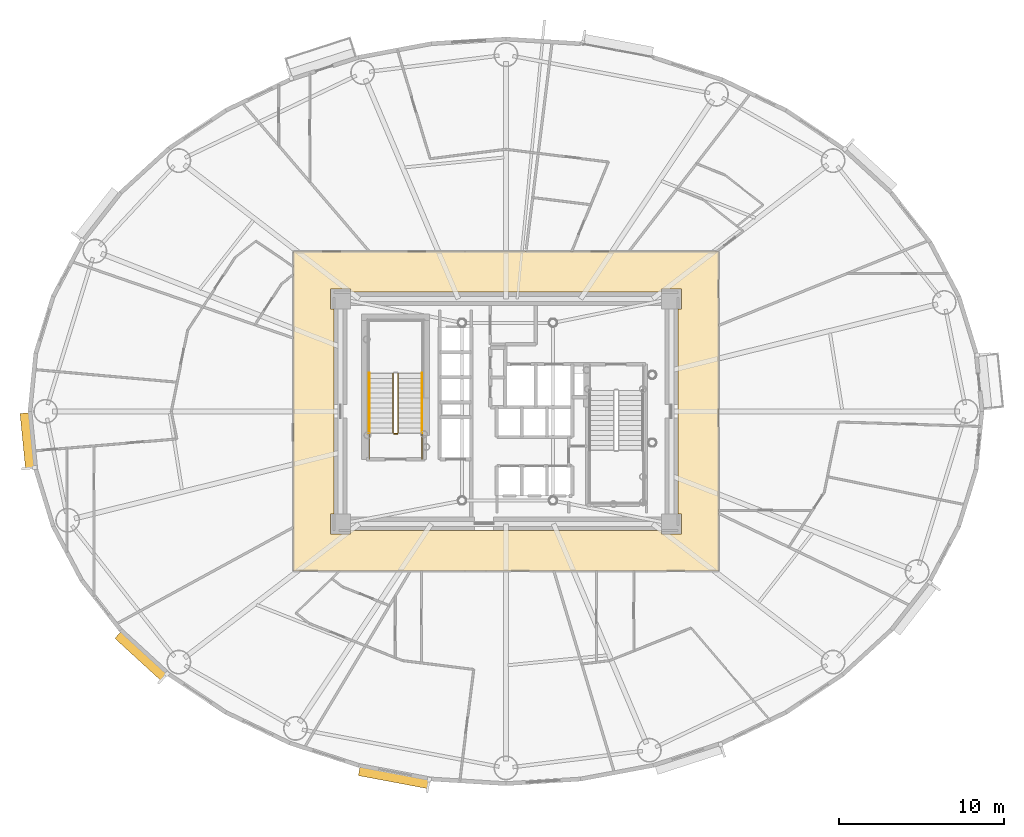
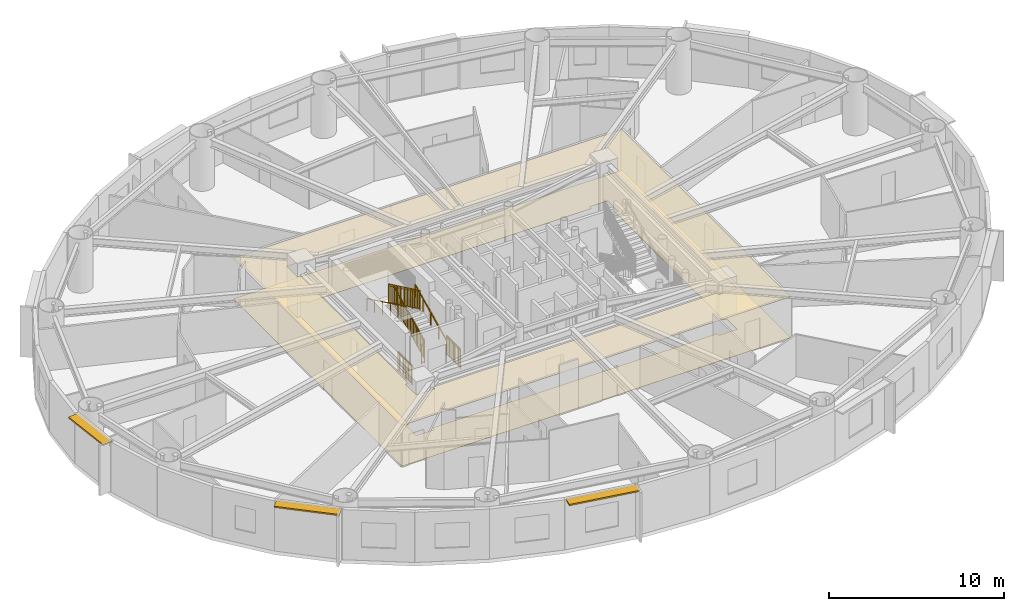
# One storey, part 13 of 18: 7 railings, 3 shading devices, 2 coverings.
"""IFC4 building model written with IfcOpenShell, lengths in metres."""

from ifc_helpers import new_model, si_unit, direction, frame, origin, origin_2d, place, context, subcontext, project, spatial, polyline, rectangle, outline, extrude, source, transform, mapped, material, layer, layer_set, type_object, element, save


model = new_model("IFC4")

# Units and contexts
model_context = context("Model", 3, precision=1e-05, world=origin(), true_north=direction((0.0, 1.0)))
body_context = subcontext(model_context, "Body", "Model", "MODEL_VIEW")
ifc_project = project(units=[si_unit("LENGTHUNIT", "METRE"), si_unit("AREAUNIT", "SQUARE_METRE"), si_unit("VOLUMEUNIT", "CUBIC_METRE"), si_unit("PLANEANGLEUNIT", "RADIAN"), si_unit("MASSUNIT", "GRAM", prefix="KILO")], contexts=[model_context])

# Site, building, storey
site_placement = place(None, origin())
site = spatial("IfcSite", under=ifc_project, at=site_placement, CompositionType="ELEMENT")
building_placement = place(site_placement, origin())
building = spatial("IfcBuilding", under=site, at=building_placement, Name="Linh Dai School and Residence Tower", CompositionType="ELEMENT")
storey_placement = place(building_placement, frame((0.0, 0.0, 104.699951171875)))
storey = spatial("IfcBuildingStorey", under=building, at=storey_placement, Name="L24", CompositionType="ELEMENT", Elevation=104.699951171875)

# Coverings
ifc_material_1 = material(Name="Mineral Fibre Acoustic Suspended Ceiling", Category="masonry")
ifc_layer_1 = layer(ifc_material_1, 0.02001953125)
ifc_layer_set_1 = layer_set([ifc_layer_1], Name="Mineral Fibre Acoustic Suspended Ceiling")
covering_type_1 = type_object("IfcCoveringType", Name="COV-CEIL-AC-20", PredefinedType="CEILING", material=ifc_layer_set_1)
covering_1_placement = place(storey_placement, frame((0.0, 0.0, 2.85009765625)))
element("IfcCovering", 1, at=covering_1_placement, inside=storey, type_object=covering_type_1, Name="L24 Residential Floor Corridor Suspended Ceiling", PredefinedType="CEILING", context=body_context, shape_type="SweptSolid", body=[
    extrude(outline(polyline([(48.85009765625, 36.64990234375), (48.85009765625, 17.35009765625), (23.14990234375, 17.35009765625), (23.14990234375, 36.64990234375), (48.85009765625, 36.64990234375)]), holes=[polyline([(26.60009765625, 34.199951171875), (26.60009765625, 34.39990234375), (25.39990234375, 34.39990234375), (25.39990234375, 33.199951171875), (25.60009765625, 33.199951171875), (25.60009765625, 20.800048828125), (25.39990234375, 20.800048828125), (25.39990234375, 19.60009765625), (26.60009765625, 19.60009765625), (26.60009765625, 19.800048828125), (45.39990234375, 19.800048828125), (45.39990234375, 19.60009765625), (46.60009765625, 19.60009765625), (46.60009765625, 20.800048828125), (46.39990234375, 20.800048828125), (46.39990234375, 33.199951171875), (46.60009765625, 33.199951171875), (46.60009765625, 34.39990234375), (45.39990234375, 34.39990234375), (45.39990234375, 34.199951171875), (26.60009765625, 34.199951171875)])]), origin(), (0.0, 0.0, 1.0), 0.02001953125),
])
ifc_material_2 = material(Name="Polished Terrazzo Floor Finish", Category="masonry")
ifc_layer_2 = layer(ifc_material_2, 0.02490234375)
ifc_layer_set_2 = layer_set([ifc_layer_2], Name="Polished Terrazzo Floor Finish")
covering_type_2 = type_object("IfcCoveringType", Name="COV-FLR-TRZ-25", PredefinedType="FLOORING", material=ifc_layer_set_2)
covering_2_placement = place(storey_placement, origin())
element("IfcCovering", 2, at=covering_2_placement, inside=storey, type_object=covering_type_2, Name="L24 Residential Floor Corridor Floor Finish", PredefinedType="FLOORING", context=body_context, shape_type="SweptSolid", body=[
    extrude(outline(polyline([(48.85009765625, 36.64990234375), (48.85009765625, 17.35009765625), (23.14990234375, 17.35009765625), (23.14990234375, 36.64990234375), (48.85009765625, 36.64990234375)]), holes=[polyline([(26.60009765625, 34.199951171875), (26.60009765625, 34.39990234375), (25.39990234375, 34.39990234375), (25.39990234375, 33.199951171875), (25.60009765625, 33.199951171875), (25.60009765625, 20.800048828125), (25.39990234375, 20.800048828125), (25.39990234375, 19.60009765625), (26.60009765625, 19.60009765625), (26.60009765625, 19.800048828125), (45.39990234375, 19.800048828125), (45.39990234375, 19.60009765625), (46.60009765625, 19.60009765625), (46.60009765625, 20.800048828125), (46.39990234375, 20.800048828125), (46.39990234375, 33.199951171875), (46.60009765625, 33.199951171875), (46.60009765625, 34.39990234375), (45.39990234375, 34.39990234375), (45.39990234375, 34.199951171875), (26.60009765625, 34.199951171875)])]), origin(), (0.0, 0.0, 1.0), 0.02001953125),
])

# Shading devices
ifc_material_3 = material(Name="Terracotta Ceramic Sunshade", Category="masonry")
ifc_layer_3 = layer(ifc_material_3, 0.10009765625)
ifc_layer_set_3 = layer_set([ifc_layer_3], Name="Terracotta Ceramic Sunshade")
shading_device_type = type_object("IfcShadingDeviceType", Name="SHD-TC-650", PredefinedType="USERDEFINED", material=ifc_layer_set_3)
shared_shape_1 = source(origin(), body_context, "Body", "SweptSolid", [
    extrude(rectangle(XDim=3.3916015625, YDim=0.64990234375, at=origin_2d()), origin(), (0.0, 0.0, 1.0), 0.10009765625),
])
shading_device_1_placement = place(storey_placement, frame((7.1181640625, 25.2138671875, 3.3798828125), z_axis=(0.0, 0.0, 1.0), x_axis=(-0.100007297192, 0.994986703684, 0.0)))
element("IfcShadingDevice", 3, at=shading_device_1_placement, inside=storey, type_object=shading_device_type, Name="L24 Terracotta Horizontal Sunshade Band 21", ObjectType="SUNSHADE", PredefinedType="USERDEFINED", context=body_context, shape_type="MappedRepresentation", body=[
    mapped(shared_shape_1, transform((0.0, 0.0, 0.0), x_axis=(1.0, 0.0, 0.0), y_axis=(0.0, 1.0, 0.0), z_axis=(0.0, 0.0, 1.0), scale=1.0)),
])
shared_shape_2 = source(origin(), body_context, "Body", "SweptSolid", [
    extrude(rectangle(XDim=3.81689453125, YDim=0.64990234375, at=origin_2d()), origin(), (0.0, 0.0, 1.0), 0.10009765625),
])
shading_device_2_placement = place(storey_placement, frame((13.983642578125, 12.22998046875, 3.3798828125), z_axis=(0.0, 0.0, 1.0), x_axis=(-0.737100266172, 0.675783395482, 0.0)))
element("IfcShadingDevice", 4, at=shading_device_2_placement, inside=storey, type_object=shading_device_type, Name="L24 Terracotta Horizontal Sunshade Band 25", ObjectType="SUNSHADE", PredefinedType="USERDEFINED", context=body_context, shape_type="MappedRepresentation", body=[
    mapped(shared_shape_2, transform((0.0, 0.0, 0.0), x_axis=(1.0, 0.0, 0.0), y_axis=(0.0, 1.0, 0.0), z_axis=(0.0, 0.0, 1.0), scale=1.0)),
])
shared_shape_3 = source(origin(), body_context, "Body", "SweptSolid", [
    extrude(rectangle(XDim=4.292236328125, YDim=0.64990234375, at=origin_2d()), origin(), (0.0, 0.0, 1.0), 0.10009765625),
])
shading_device_3_placement = place(storey_placement, frame((29.24462890625, 4.905517578125, 3.3798828125), z_axis=(0.0, 0.0, 1.0), x_axis=(-0.982784673718, 0.18475466193, 0.0)))
element("IfcShadingDevice", 5, at=shading_device_3_placement, inside=storey, type_object=shading_device_type, Name="L24 Terracotta Horizontal Sunshade Band 29", ObjectType="SUNSHADE", PredefinedType="USERDEFINED", context=body_context, shape_type="MappedRepresentation", body=[
    mapped(shared_shape_3, transform((0.0, 0.0, 0.0), x_axis=(1.0, 0.0, 0.0), y_axis=(0.0, 1.0, 0.0), z_axis=(0.0, 0.0, 1.0), scale=1.0)),
])

# Railings
ifc_material_4 = material(Name="Structural Steel S355JR", Category="steel")
railing_type_1 = type_object("IfcRailingType", Name="RL-ST-GUARD-1400", PredefinedType="GUARDRAIL", material=ifc_material_4)
shared_shape_4 = source(origin(), body_context, "Body", "SweptSolid", [
    extrude(rectangle(XDim=0.048095703125, YDim=0.048095703125, at=origin_2d()), frame((0.0, 0.0, 1.3759765625), z_axis=(-1.0, 0.0, 0.0), x_axis=(0.0, -1.0, 0.0)), (0.0, 0.0, 1.0), 0.199951171875),
    extrude(rectangle(XDim=0.048095703125, YDim=0.048095703125, at=origin_2d()), frame((0.0, 0.0, 0.10009765625), z_axis=(-1.0, 0.0, 0.0), x_axis=(0.0, -1.0, 0.0)), (0.0, 0.0, 1.0), 0.199951171875),
    extrude(rectangle(XDim=0.030029296875, YDim=0.030029296875, at=origin_2d()), frame((0.0, 0.0, 1.239990234375), z_axis=(-1.0, 0.0, 0.0), x_axis=(0.0, -1.0, 0.0)), (0.0, 0.0, 1.0), 0.199951171875),
    extrude(rectangle(XDim=0.0419921875, YDim=0.0419921875, at=origin_2d()), origin(), (0.0, 0.0, 1.0), 1.3759765625),
    extrude(rectangle(XDim=0.0419921875, YDim=0.0419921875, at=origin_2d()), frame((-0.199951171875, 0.0, 0.0)), (0.0, 0.0, 1.0), 1.3759765625),
])
railing_1_placement = place(storey_placement, frame((29.429931640625, 25.64990234375, 0.0)))
element("IfcRailing", 6, at=railing_1_placement, inside=storey, type_object=railing_type_1, Name="L24 ST1 stair guard 7", PredefinedType="GUARDRAIL", context=body_context, shape_type="MappedRepresentation", body=[
    mapped(shared_shape_4, transform((0.0, 0.0, 0.0), x_axis=(1.0, 0.0, 0.0), y_axis=(0.0, 1.0, 0.0), z_axis=(0.0, 0.0, 1.0), scale=1.0)),
])
shared_shape_5 = source(origin(), body_context, "Body", "SweptSolid", [
    extrude(rectangle(XDim=0.048095703125, YDim=0.048095703125, at=origin_2d()), frame((0.0, 0.0, 1.3759765625), z_axis=(0.0, 1.0, 0.0), x_axis=(-1.0, 0.0, 0.0)), (0.0, 0.0, 1.0), 1.599853515625),
    extrude(rectangle(XDim=0.048095703125, YDim=0.048095703125, at=origin_2d()), frame((0.0, 0.0, 0.10009765625), z_axis=(0.0, 1.0, 0.0), x_axis=(-1.0, 0.0, 0.0)), (0.0, 0.0, 1.0), 1.599853515625),
    extrude(rectangle(XDim=0.030029296875, YDim=0.030029296875, at=origin_2d()), frame((0.0, 0.0, 1.239990234375), z_axis=(0.0, 1.0, 0.0), x_axis=(-1.0, 0.0, 0.0)), (0.0, 0.0, 1.0), 1.599853515625),
    extrude(rectangle(XDim=0.02001953125, YDim=0.02001953125, at=origin_2d()), frame((0.0, 0.093994140625, 0.10009765625)), (0.0, 0.0, 1.0), 1.251708984375),
    extrude(rectangle(XDim=0.02001953125, YDim=0.02001953125, at=origin_2d()), frame((0.0, 0.188232421875, 0.10009765625)), (0.0, 0.0, 1.0), 1.251708984375),
    extrude(rectangle(XDim=0.02001953125, YDim=0.02001953125, at=origin_2d()), frame((0.0, 0.2822265625, 0.10009765625)), (0.0, 0.0, 1.0), 1.251708984375),
    extrude(rectangle(XDim=0.02001953125, YDim=0.02001953125, at=origin_2d()), frame((0.0, 0.37646484375, 0.10009765625)), (0.0, 0.0, 1.0), 1.251708984375),
    extrude(rectangle(XDim=0.02001953125, YDim=0.02001953125, at=origin_2d()), frame((0.0, 0.470458984375, 0.10009765625)), (0.0, 0.0, 1.0), 1.251708984375),
    extrude(rectangle(XDim=0.02001953125, YDim=0.02001953125, at=origin_2d()), frame((0.0, 0.564697265625, 0.10009765625)), (0.0, 0.0, 1.0), 1.251708984375),
    extrude(rectangle(XDim=0.02001953125, YDim=0.02001953125, at=origin_2d()), frame((0.0, 0.65869140625, 0.10009765625)), (0.0, 0.0, 1.0), 1.251708984375),
    extrude(rectangle(XDim=0.02001953125, YDim=0.02001953125, at=origin_2d()), frame((0.0, 0.7529296875, 0.10009765625)), (0.0, 0.0, 1.0), 1.251708984375),
    extrude(rectangle(XDim=0.02001953125, YDim=0.02001953125, at=origin_2d()), frame((0.0, 0.846923828125, 0.10009765625)), (0.0, 0.0, 1.0), 1.251708984375),
    extrude(rectangle(XDim=0.02001953125, YDim=0.02001953125, at=origin_2d()), frame((0.0, 0.941162109375, 0.10009765625)), (0.0, 0.0, 1.0), 1.251708984375),
    extrude(rectangle(XDim=0.02001953125, YDim=0.02001953125, at=origin_2d()), frame((0.0, 1.03515625, 0.10009765625)), (0.0, 0.0, 1.0), 1.251708984375),
    extrude(rectangle(XDim=0.02001953125, YDim=0.02001953125, at=origin_2d()), frame((0.0, 1.12939453125, 0.10009765625)), (0.0, 0.0, 1.0), 1.251708984375),
    extrude(rectangle(XDim=0.02001953125, YDim=0.02001953125, at=origin_2d()), frame((0.0, 1.223388671875, 0.10009765625)), (0.0, 0.0, 1.0), 1.251708984375),
    extrude(rectangle(XDim=0.02001953125, YDim=0.02001953125, at=origin_2d()), frame((0.0, 1.317626953125, 0.10009765625)), (0.0, 0.0, 1.0), 1.251708984375),
    extrude(rectangle(XDim=0.02001953125, YDim=0.02001953125, at=origin_2d()), frame((0.0, 1.41162109375, 0.10009765625)), (0.0, 0.0, 1.0), 1.251708984375),
    extrude(rectangle(XDim=0.02001953125, YDim=0.02001953125, at=origin_2d()), frame((0.0, 1.505859375, 0.10009765625)), (0.0, 0.0, 1.0), 1.251708984375),
    extrude(rectangle(XDim=0.0419921875, YDim=0.0419921875, at=origin_2d()), origin(), (0.0, 0.0, 1.0), 1.3759765625),
    extrude(rectangle(XDim=0.0419921875, YDim=0.0419921875, at=origin_2d()), frame((0.0, 0.7998046875, 0.0)), (0.0, 0.0, 1.0), 1.3759765625),
    extrude(rectangle(XDim=0.0419921875, YDim=0.0419921875, at=origin_2d()), frame((0.0, 1.599853515625, 0.0)), (0.0, 0.0, 1.0), 1.3759765625),
])
for number, where, name in (
    (7, (30.929931640625, 24.10009765625, 0.0), "L24 ST1 stair guard 8"),
    (8, (27.72998046875, 24.10009765625, 0.0), "L24 ST1 stair guard 9"),
):
    element("IfcRailing", number, at=place(storey_placement, frame(where)), inside=storey, type_object=railing_type_1, Name=name, PredefinedType="GUARDRAIL", context=body_context, shape_type="MappedRepresentation", body=[
        mapped(shared_shape_5, transform((0.0, 0.0, 0.0), x_axis=(1.0, 0.0, 0.0), y_axis=(0.0, 1.0, 0.0), z_axis=(0.0, 0.0, 1.0), scale=1.0)),
    ])
shared_shape_6 = source(origin(), body_context, "Body", "SweptSolid", [
    extrude(rectangle(XDim=0.048095703125, YDim=0.048095703125, at=origin_2d()), frame((0.0, 0.0, 1.3759765625), z_axis=(0.0, 0.901262522062, 0.433273431364), x_axis=(-1.0, 0.0, 0.0)), (0.0, 0.0, 1.0), 3.994384765625),
    extrude(rectangle(XDim=0.048095703125, YDim=0.048095703125, at=origin_2d()), frame((0.0, 0.0, 0.10009765625), z_axis=(0.0, 0.901262522062, 0.433273431364), x_axis=(-1.0, 0.0, 0.0)), (0.0, 0.0, 1.0), 3.994384765625),
    extrude(rectangle(XDim=0.030029296875, YDim=0.030029296875, at=origin_2d()), frame((0.0, 0.0, 1.239990234375), z_axis=(0.0, 0.901262522062, 0.433273431364), x_axis=(-1.0, 0.0, 0.0)), (0.0, 0.0, 1.0), 3.994384765625),
    extrude(rectangle(XDim=0.02001953125, YDim=0.02001953125, at=origin_2d()), frame((0.0, 0.087890625, 0.142333984375)), (0.0, 0.0, 1.0), 1.251708984375),
    extrude(rectangle(XDim=0.02001953125, YDim=0.02001953125, at=origin_2d()), frame((0.0, 0.175537109375, 0.1845703125)), (0.0, 0.0, 1.0), 1.251708984375),
    extrude(rectangle(XDim=0.02001953125, YDim=0.02001953125, at=origin_2d()), frame((0.0, 0.263427734375, 0.226806640625)), (0.0, 0.0, 1.0), 1.251708984375),
    extrude(rectangle(XDim=0.02001953125, YDim=0.02001953125, at=origin_2d()), frame((0.0, 0.351318359375, 0.26904296875)), (0.0, 0.0, 1.0), 1.251708984375),
    extrude(rectangle(XDim=0.02001953125, YDim=0.02001953125, at=origin_2d()), frame((0.0, 0.43896484375, 0.311279296875)), (0.0, 0.0, 1.0), 1.251708984375),
    extrude(rectangle(XDim=0.02001953125, YDim=0.02001953125, at=origin_2d()), frame((0.0, 0.52685546875, 0.353271484375)), (0.0, 0.0, 1.0), 1.251708984375),
    extrude(rectangle(XDim=0.02001953125, YDim=0.02001953125, at=origin_2d()), frame((0.0, 0.61474609375, 0.3955078125)), (0.0, 0.0, 1.0), 1.251708984375),
    extrude(rectangle(XDim=0.02001953125, YDim=0.02001953125, at=origin_2d()), frame((0.0, 0.702392578125, 0.437744140625)), (0.0, 0.0, 1.0), 1.251708984375),
    extrude(rectangle(XDim=0.02001953125, YDim=0.02001953125, at=origin_2d()), frame((0.0, 0.790283203125, 0.47998046875)), (0.0, 0.0, 1.0), 1.251708984375),
    extrude(rectangle(XDim=0.02001953125, YDim=0.02001953125, at=origin_2d()), frame((0.0, 0.9658203125, 0.564453125)), (0.0, 0.0, 1.0), 1.251708984375),
    extrude(rectangle(XDim=0.02001953125, YDim=0.02001953125, at=origin_2d()), frame((0.0, 1.0537109375, 0.606689453125)), (0.0, 0.0, 1.0), 1.251708984375),
    extrude(rectangle(XDim=0.02001953125, YDim=0.02001953125, at=origin_2d()), frame((0.0, 1.1416015625, 0.64892578125)), (0.0, 0.0, 1.0), 1.251708984375),
    extrude(rectangle(XDim=0.02001953125, YDim=0.02001953125, at=origin_2d()), frame((0.0, 1.229248046875, 0.691162109375)), (0.0, 0.0, 1.0), 1.251708984375),
    extrude(rectangle(XDim=0.02001953125, YDim=0.02001953125, at=origin_2d()), frame((0.0, 1.317138671875, 0.7333984375)), (0.0, 0.0, 1.0), 1.251708984375),
    extrude(rectangle(XDim=0.02001953125, YDim=0.02001953125, at=origin_2d()), frame((0.0, 1.405029296875, 0.775390625)), (0.0, 0.0, 1.0), 1.251708984375),
    extrude(rectangle(XDim=0.02001953125, YDim=0.02001953125, at=origin_2d()), frame((0.0, 1.49267578125, 0.817626953125)), (0.0, 0.0, 1.0), 1.251708984375),
    extrude(rectangle(XDim=0.02001953125, YDim=0.02001953125, at=origin_2d()), frame((0.0, 1.58056640625, 0.85986328125)), (0.0, 0.0, 1.0), 1.251708984375),
    extrude(rectangle(XDim=0.02001953125, YDim=0.02001953125, at=origin_2d()), frame((0.0, 1.66845703125, 0.902099609375)), (0.0, 0.0, 1.0), 1.251708984375),
    extrude(rectangle(XDim=0.02001953125, YDim=0.02001953125, at=origin_2d()), frame((0.0, 1.756103515625, 0.9443359375)), (0.0, 0.0, 1.0), 1.251708984375),
    extrude(rectangle(XDim=0.02001953125, YDim=0.02001953125, at=origin_2d()), frame((0.0, 1.843994140625, 0.986572265625)), (0.0, 0.0, 1.0), 1.251708984375),
    extrude(rectangle(XDim=0.02001953125, YDim=0.02001953125, at=origin_2d()), frame((0.0, 1.931640625, 1.02880859375)), (0.0, 0.0, 1.0), 1.251708984375),
    extrude(rectangle(XDim=0.02001953125, YDim=0.02001953125, at=origin_2d()), frame((0.0, 2.01953125, 1.071044921875)), (0.0, 0.0, 1.0), 1.251708984375),
    extrude(rectangle(XDim=0.02001953125, YDim=0.02001953125, at=origin_2d()), frame((0.0, 2.107421875, 1.11328125)), (0.0, 0.0, 1.0), 1.251708984375),
    extrude(rectangle(XDim=0.02001953125, YDim=0.02001953125, at=origin_2d()), frame((0.0, 2.195068359375, 1.155517578125)), (0.0, 0.0, 1.0), 1.251708984375),
    extrude(rectangle(XDim=0.02001953125, YDim=0.02001953125, at=origin_2d()), frame((0.0, 2.282958984375, 1.197509765625)), (0.0, 0.0, 1.0), 1.251708984375),
    extrude(rectangle(XDim=0.02001953125, YDim=0.02001953125, at=origin_2d()), frame((0.0, 2.370849609375, 1.23974609375)), (0.0, 0.0, 1.0), 1.251708984375),
    extrude(rectangle(XDim=0.02001953125, YDim=0.02001953125, at=origin_2d()), frame((0.0, 2.45849609375, 1.281982421875)), (0.0, 0.0, 1.0), 1.251708984375),
    extrude(rectangle(XDim=0.02001953125, YDim=0.02001953125, at=origin_2d()), frame((0.0, 2.54638671875, 1.32421875)), (0.0, 0.0, 1.0), 1.251708984375),
    extrude(rectangle(XDim=0.02001953125, YDim=0.02001953125, at=origin_2d()), frame((0.0, 2.63427734375, 1.366455078125)), (0.0, 0.0, 1.0), 1.251708984375),
    extrude(rectangle(XDim=0.02001953125, YDim=0.02001953125, at=origin_2d()), frame((0.0, 2.809814453125, 1.450927734375)), (0.0, 0.0, 1.0), 1.251708984375),
    extrude(rectangle(XDim=0.02001953125, YDim=0.02001953125, at=origin_2d()), frame((0.0, 2.897705078125, 1.4931640625)), (0.0, 0.0, 1.0), 1.251708984375),
    extrude(rectangle(XDim=0.02001953125, YDim=0.02001953125, at=origin_2d()), frame((0.0, 2.9853515625, 1.535400390625)), (0.0, 0.0, 1.0), 1.251708984375),
    extrude(rectangle(XDim=0.02001953125, YDim=0.02001953125, at=origin_2d()), frame((0.0, 3.0732421875, 1.57763671875)), (0.0, 0.0, 1.0), 1.251708984375),
    extrude(rectangle(XDim=0.02001953125, YDim=0.02001953125, at=origin_2d()), frame((0.0, 3.1611328125, 1.61962890625)), (0.0, 0.0, 1.0), 1.251708984375),
    extrude(rectangle(XDim=0.02001953125, YDim=0.02001953125, at=origin_2d()), frame((0.0, 3.248779296875, 1.661865234375)), (0.0, 0.0, 1.0), 1.251708984375),
    extrude(rectangle(XDim=0.02001953125, YDim=0.02001953125, at=origin_2d()), frame((0.0, 3.336669921875, 1.7041015625)), (0.0, 0.0, 1.0), 1.251708984375),
    extrude(rectangle(XDim=0.02001953125, YDim=0.02001953125, at=origin_2d()), frame((0.0, 3.424560546875, 1.746337890625)), (0.0, 0.0, 1.0), 1.251708984375),
    extrude(rectangle(XDim=0.02001953125, YDim=0.02001953125, at=origin_2d()), frame((0.0, 3.51220703125, 1.78857421875)), (0.0, 0.0, 1.0), 1.251708984375),
    extrude(rectangle(XDim=0.0419921875, YDim=0.0419921875, at=origin_2d()), origin(), (0.0, 0.0, 1.0), 1.3759765625),
    extrude(rectangle(XDim=0.0419921875, YDim=0.0419921875, at=origin_2d()), frame((0.0, 0.89990234375, 0.4326171875)), (0.0, 0.0, 1.0), 1.3759765625),
    extrude(rectangle(XDim=0.0419921875, YDim=0.0419921875, at=origin_2d()), frame((0.0, 1.800048828125, 0.865234375)), (0.0, 0.0, 1.0), 1.3759765625),
    extrude(rectangle(XDim=0.0419921875, YDim=0.0419921875, at=origin_2d()), frame((0.0, 2.7001953125, 1.298095703125)), (0.0, 0.0, 1.0), 1.3759765625),
    extrude(rectangle(XDim=0.0419921875, YDim=0.0419921875, at=origin_2d()), frame((0.0, 3.60009765625, 1.730712890625)), (0.0, 0.0, 1.0), 1.3759765625),
])
railing_2_placement = place(storey_placement, frame((29.47998046875, 25.699951171875, 0.144287109375)))
element("IfcRailing", 9, at=railing_2_placement, inside=storey, type_object=railing_type_1, Name="L24 ST1 stair guard 1", PredefinedType="GUARDRAIL", context=body_context, shape_type="MappedRepresentation", body=[
    mapped(shared_shape_6, transform((0.0, 0.0, 0.0), x_axis=(1.0, 0.0, 0.0), y_axis=(0.0, 1.0, 0.0), z_axis=(0.0, 0.0, 1.0), scale=1.0)),
])
shared_shape_7 = source(origin(), body_context, "Body", "SweptSolid", [
    extrude(rectangle(XDim=0.048095703125, YDim=0.048095703125, at=origin_2d()), frame((0.0, 0.0, 1.3759765625), z_axis=(0.0, -0.901262522062, 0.433273431364), x_axis=(1.0, 0.0, 0.0)), (0.0, 0.0, 1.0), 3.994384765625),
    extrude(rectangle(XDim=0.048095703125, YDim=0.048095703125, at=origin_2d()), frame((0.0, 0.0, 0.10009765625), z_axis=(0.0, -0.901262522062, 0.433273431364), x_axis=(1.0, 0.0, 0.0)), (0.0, 0.0, 1.0), 3.994384765625),
    extrude(rectangle(XDim=0.030029296875, YDim=0.030029296875, at=origin_2d()), frame((0.0, 0.0, 1.239990234375), z_axis=(0.0, -0.901262522062, 0.433273431364), x_axis=(1.0, 0.0, 0.0)), (0.0, 0.0, 1.0), 3.994384765625),
    extrude(rectangle(XDim=0.02001953125, YDim=0.02001953125, at=origin_2d()), frame((0.0, -0.087890625, 0.142333984375)), (0.0, 0.0, 1.0), 1.251708984375),
    extrude(rectangle(XDim=0.02001953125, YDim=0.02001953125, at=origin_2d()), frame((0.0, -0.175537109375, 0.1845703125)), (0.0, 0.0, 1.0), 1.251708984375),
    extrude(rectangle(XDim=0.02001953125, YDim=0.02001953125, at=origin_2d()), frame((0.0, -0.263427734375, 0.226806640625)), (0.0, 0.0, 1.0), 1.251708984375),
    extrude(rectangle(XDim=0.02001953125, YDim=0.02001953125, at=origin_2d()), frame((0.0, -0.351318359375, 0.26904296875)), (0.0, 0.0, 1.0), 1.251708984375),
    extrude(rectangle(XDim=0.02001953125, YDim=0.02001953125, at=origin_2d()), frame((0.0, -0.43896484375, 0.311279296875)), (0.0, 0.0, 1.0), 1.251708984375),
    extrude(rectangle(XDim=0.02001953125, YDim=0.02001953125, at=origin_2d()), frame((0.0, -0.52685546875, 0.353271484375)), (0.0, 0.0, 1.0), 1.251708984375),
    extrude(rectangle(XDim=0.02001953125, YDim=0.02001953125, at=origin_2d()), frame((0.0, -0.61474609375, 0.3955078125)), (0.0, 0.0, 1.0), 1.251708984375),
    extrude(rectangle(XDim=0.02001953125, YDim=0.02001953125, at=origin_2d()), frame((0.0, -0.702392578125, 0.437744140625)), (0.0, 0.0, 1.0), 1.251708984375),
    extrude(rectangle(XDim=0.02001953125, YDim=0.02001953125, at=origin_2d()), frame((0.0, -0.790283203125, 0.47998046875)), (0.0, 0.0, 1.0), 1.251708984375),
    extrude(rectangle(XDim=0.02001953125, YDim=0.02001953125, at=origin_2d()), frame((0.0, -0.9658203125, 0.564453125)), (0.0, 0.0, 1.0), 1.251708984375),
    extrude(rectangle(XDim=0.02001953125, YDim=0.02001953125, at=origin_2d()), frame((0.0, -1.0537109375, 0.606689453125)), (0.0, 0.0, 1.0), 1.251708984375),
    extrude(rectangle(XDim=0.02001953125, YDim=0.02001953125, at=origin_2d()), frame((0.0, -1.1416015625, 0.64892578125)), (0.0, 0.0, 1.0), 1.251708984375),
    extrude(rectangle(XDim=0.02001953125, YDim=0.02001953125, at=origin_2d()), frame((0.0, -1.229248046875, 0.691162109375)), (0.0, 0.0, 1.0), 1.251708984375),
    extrude(rectangle(XDim=0.02001953125, YDim=0.02001953125, at=origin_2d()), frame((0.0, -1.317138671875, 0.7333984375)), (0.0, 0.0, 1.0), 1.251708984375),
    extrude(rectangle(XDim=0.02001953125, YDim=0.02001953125, at=origin_2d()), frame((0.0, -1.405029296875, 0.775390625)), (0.0, 0.0, 1.0), 1.251708984375),
    extrude(rectangle(XDim=0.02001953125, YDim=0.02001953125, at=origin_2d()), frame((0.0, -1.49267578125, 0.817626953125)), (0.0, 0.0, 1.0), 1.251708984375),
    extrude(rectangle(XDim=0.02001953125, YDim=0.02001953125, at=origin_2d()), frame((0.0, -1.58056640625, 0.85986328125)), (0.0, 0.0, 1.0), 1.251708984375),
    extrude(rectangle(XDim=0.02001953125, YDim=0.02001953125, at=origin_2d()), frame((0.0, -1.66845703125, 0.902099609375)), (0.0, 0.0, 1.0), 1.251708984375),
    extrude(rectangle(XDim=0.02001953125, YDim=0.02001953125, at=origin_2d()), frame((0.0, -1.756103515625, 0.9443359375)), (0.0, 0.0, 1.0), 1.251708984375),
    extrude(rectangle(XDim=0.02001953125, YDim=0.02001953125, at=origin_2d()), frame((0.0, -1.843994140625, 0.986572265625)), (0.0, 0.0, 1.0), 1.251708984375),
    extrude(rectangle(XDim=0.02001953125, YDim=0.02001953125, at=origin_2d()), frame((0.0, -1.931640625, 1.02880859375)), (0.0, 0.0, 1.0), 1.251708984375),
    extrude(rectangle(XDim=0.02001953125, YDim=0.02001953125, at=origin_2d()), frame((0.0, -2.01953125, 1.071044921875)), (0.0, 0.0, 1.0), 1.251708984375),
    extrude(rectangle(XDim=0.02001953125, YDim=0.02001953125, at=origin_2d()), frame((0.0, -2.107421875, 1.11328125)), (0.0, 0.0, 1.0), 1.251708984375),
    extrude(rectangle(XDim=0.02001953125, YDim=0.02001953125, at=origin_2d()), frame((0.0, -2.195068359375, 1.155517578125)), (0.0, 0.0, 1.0), 1.251708984375),
    extrude(rectangle(XDim=0.02001953125, YDim=0.02001953125, at=origin_2d()), frame((0.0, -2.282958984375, 1.197509765625)), (0.0, 0.0, 1.0), 1.251708984375),
    extrude(rectangle(XDim=0.02001953125, YDim=0.02001953125, at=origin_2d()), frame((0.0, -2.370849609375, 1.23974609375)), (0.0, 0.0, 1.0), 1.251708984375),
    extrude(rectangle(XDim=0.02001953125, YDim=0.02001953125, at=origin_2d()), frame((0.0, -2.45849609375, 1.281982421875)), (0.0, 0.0, 1.0), 1.251708984375),
    extrude(rectangle(XDim=0.02001953125, YDim=0.02001953125, at=origin_2d()), frame((0.0, -2.54638671875, 1.32421875)), (0.0, 0.0, 1.0), 1.251708984375),
    extrude(rectangle(XDim=0.02001953125, YDim=0.02001953125, at=origin_2d()), frame((0.0, -2.63427734375, 1.366455078125)), (0.0, 0.0, 1.0), 1.251708984375),
    extrude(rectangle(XDim=0.02001953125, YDim=0.02001953125, at=origin_2d()), frame((0.0, -2.809814453125, 1.450927734375)), (0.0, 0.0, 1.0), 1.251708984375),
    extrude(rectangle(XDim=0.02001953125, YDim=0.02001953125, at=origin_2d()), frame((0.0, -2.897705078125, 1.4931640625)), (0.0, 0.0, 1.0), 1.251708984375),
    extrude(rectangle(XDim=0.02001953125, YDim=0.02001953125, at=origin_2d()), frame((0.0, -2.9853515625, 1.535400390625)), (0.0, 0.0, 1.0), 1.251708984375),
    extrude(rectangle(XDim=0.02001953125, YDim=0.02001953125, at=origin_2d()), frame((0.0, -3.0732421875, 1.57763671875)), (0.0, 0.0, 1.0), 1.251708984375),
    extrude(rectangle(XDim=0.02001953125, YDim=0.02001953125, at=origin_2d()), frame((0.0, -3.1611328125, 1.61962890625)), (0.0, 0.0, 1.0), 1.251708984375),
    extrude(rectangle(XDim=0.02001953125, YDim=0.02001953125, at=origin_2d()), frame((0.0, -3.248779296875, 1.661865234375)), (0.0, 0.0, 1.0), 1.251708984375),
    extrude(rectangle(XDim=0.02001953125, YDim=0.02001953125, at=origin_2d()), frame((0.0, -3.336669921875, 1.7041015625)), (0.0, 0.0, 1.0), 1.251708984375),
    extrude(rectangle(XDim=0.02001953125, YDim=0.02001953125, at=origin_2d()), frame((0.0, -3.424560546875, 1.746337890625)), (0.0, 0.0, 1.0), 1.251708984375),
    extrude(rectangle(XDim=0.02001953125, YDim=0.02001953125, at=origin_2d()), frame((0.0, -3.51220703125, 1.78857421875)), (0.0, 0.0, 1.0), 1.251708984375),
    extrude(rectangle(XDim=0.0419921875, YDim=0.0419921875, at=origin_2d()), origin(), (0.0, 0.0, 1.0), 1.3759765625),
    extrude(rectangle(XDim=0.0419921875, YDim=0.0419921875, at=origin_2d()), frame((0.0, -0.89990234375, 0.4326171875)), (0.0, 0.0, 1.0), 1.3759765625),
    extrude(rectangle(XDim=0.0419921875, YDim=0.0419921875, at=origin_2d()), frame((0.0, -1.800048828125, 0.865234375)), (0.0, 0.0, 1.0), 1.3759765625),
    extrude(rectangle(XDim=0.0419921875, YDim=0.0419921875, at=origin_2d()), frame((0.0, -2.7001953125, 1.298095703125)), (0.0, 0.0, 1.0), 1.3759765625),
    extrude(rectangle(XDim=0.0419921875, YDim=0.0419921875, at=origin_2d()), frame((0.0, -3.60009765625, 1.730712890625)), (0.0, 0.0, 1.0), 1.3759765625),
])
railing_3_placement = place(storey_placement, frame((29.179931640625, 29.300048828125, 2.019287109375)))
element("IfcRailing", 10, at=railing_3_placement, inside=storey, type_object=railing_type_1, Name="L24 ST1 stair guard 6", PredefinedType="GUARDRAIL", context=body_context, shape_type="MappedRepresentation", body=[
    mapped(shared_shape_7, transform((0.0, 0.0, 0.0), x_axis=(1.0, 0.0, 0.0), y_axis=(0.0, 1.0, 0.0), z_axis=(0.0, 0.0, 1.0), scale=1.0)),
])
ifc_material_5 = material(Name="Brushed Stainless Steel Handrail", Category="steel")
railing_type_2 = type_object("IfcRailingType", Name="RL-ST-HANDRAIL-900", PredefinedType="HANDRAIL", material=ifc_material_5)
shared_shape_8 = source(origin(), body_context, "Body", "SweptSolid", [
    extrude(rectangle(XDim=0.048095703125, YDim=0.048095703125, at=origin_2d()), frame((0.0, 0.0, 0.8759765625), z_axis=(0.0, 0.901262522062, 0.433273431364), x_axis=(-1.0, 0.0, 0.0)), (0.0, 0.0, 1.0), 3.994384765625),
    extrude(rectangle(XDim=0.0419921875, YDim=0.0419921875, at=origin_2d()), origin(), (0.0, 0.0, 1.0), 0.8759765625),
    extrude(rectangle(XDim=0.0419921875, YDim=0.0419921875, at=origin_2d()), frame((0.0, 0.89990234375, 0.4326171875)), (0.0, 0.0, 1.0), 0.8759765625),
    extrude(rectangle(XDim=0.0419921875, YDim=0.0419921875, at=origin_2d()), frame((0.0, 1.800048828125, 0.865234375)), (0.0, 0.0, 1.0), 0.8759765625),
    extrude(rectangle(XDim=0.0419921875, YDim=0.0419921875, at=origin_2d()), frame((0.0, 2.7001953125, 1.298095703125)), (0.0, 0.0, 1.0), 0.8759765625),
    extrude(rectangle(XDim=0.0419921875, YDim=0.0419921875, at=origin_2d()), frame((0.0, 3.60009765625, 1.730712890625)), (0.0, 0.0, 1.0), 0.8759765625),
])
railing_4_placement = place(storey_placement, frame((30.929931640625, 25.699951171875, 0.144287109375)))
element("IfcRailing", 11, at=railing_4_placement, inside=storey, type_object=railing_type_2, Name="L24 ST1 stair handrail 1", PredefinedType="HANDRAIL", context=body_context, shape_type="MappedRepresentation", body=[
    mapped(shared_shape_8, transform((0.0, 0.0, 0.0), x_axis=(1.0, 0.0, 0.0), y_axis=(0.0, 1.0, 0.0), z_axis=(0.0, 0.0, 1.0), scale=1.0)),
])
shared_shape_9 = source(origin(), body_context, "Body", "SweptSolid", [
    extrude(rectangle(XDim=0.048095703125, YDim=0.048095703125, at=origin_2d()), frame((0.0, 0.0, 0.8759765625), z_axis=(0.0, -0.901262522062, 0.433273431364), x_axis=(1.0, 0.0, 0.0)), (0.0, 0.0, 1.0), 3.994384765625),
    extrude(rectangle(XDim=0.0419921875, YDim=0.0419921875, at=origin_2d()), origin(), (0.0, 0.0, 1.0), 0.8759765625),
    extrude(rectangle(XDim=0.0419921875, YDim=0.0419921875, at=origin_2d()), frame((0.0, -0.89990234375, 0.4326171875)), (0.0, 0.0, 1.0), 0.8759765625),
    extrude(rectangle(XDim=0.0419921875, YDim=0.0419921875, at=origin_2d()), frame((0.0, -1.800048828125, 0.865234375)), (0.0, 0.0, 1.0), 0.8759765625),
    extrude(rectangle(XDim=0.0419921875, YDim=0.0419921875, at=origin_2d()), frame((0.0, -2.7001953125, 1.298095703125)), (0.0, 0.0, 1.0), 0.8759765625),
    extrude(rectangle(XDim=0.0419921875, YDim=0.0419921875, at=origin_2d()), frame((0.0, -3.60009765625, 1.730712890625)), (0.0, 0.0, 1.0), 0.8759765625),
])
railing_5_placement = place(storey_placement, frame((27.72998046875, 29.300048828125, 2.019287109375)))
element("IfcRailing", 12, at=railing_5_placement, inside=storey, type_object=railing_type_2, Name="L24 ST1 stair handrail 2", PredefinedType="HANDRAIL", context=body_context, shape_type="MappedRepresentation", body=[
    mapped(shared_shape_9, transform((0.0, 0.0, 0.0), x_axis=(1.0, 0.0, 0.0), y_axis=(0.0, 1.0, 0.0), z_axis=(0.0, 0.0, 1.0), scale=1.0)),
])

save(model, "model.ifc")
